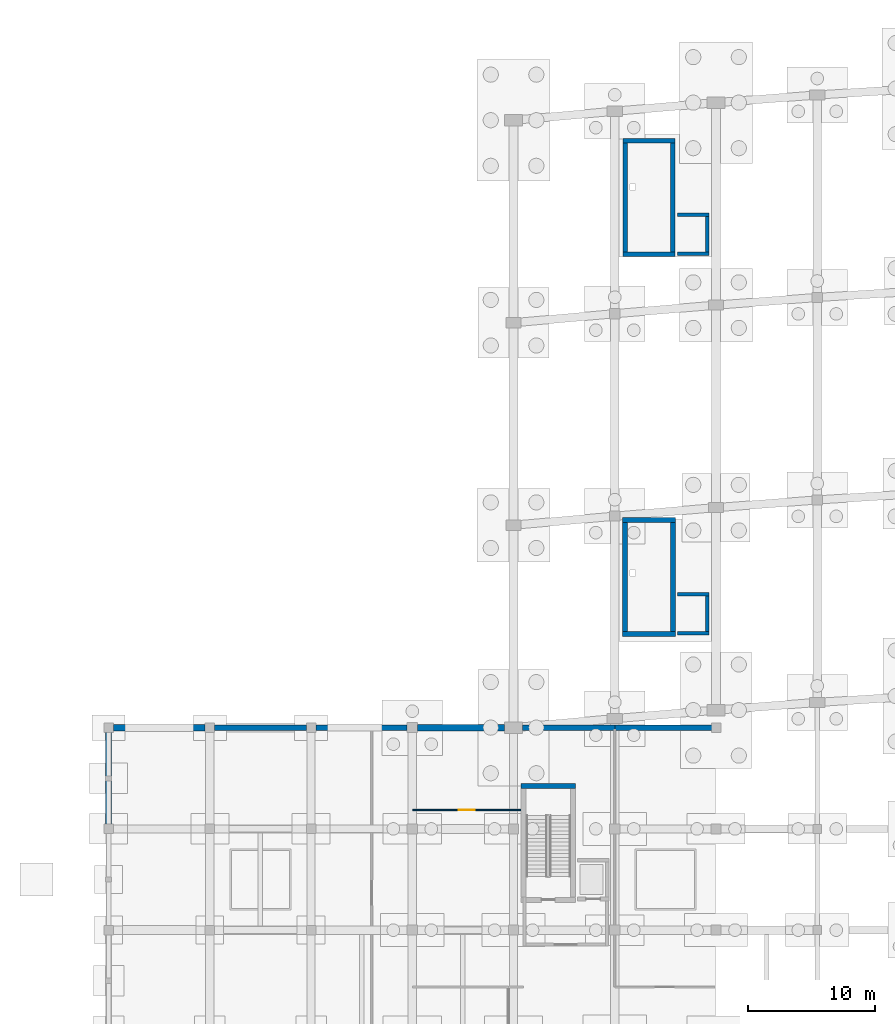
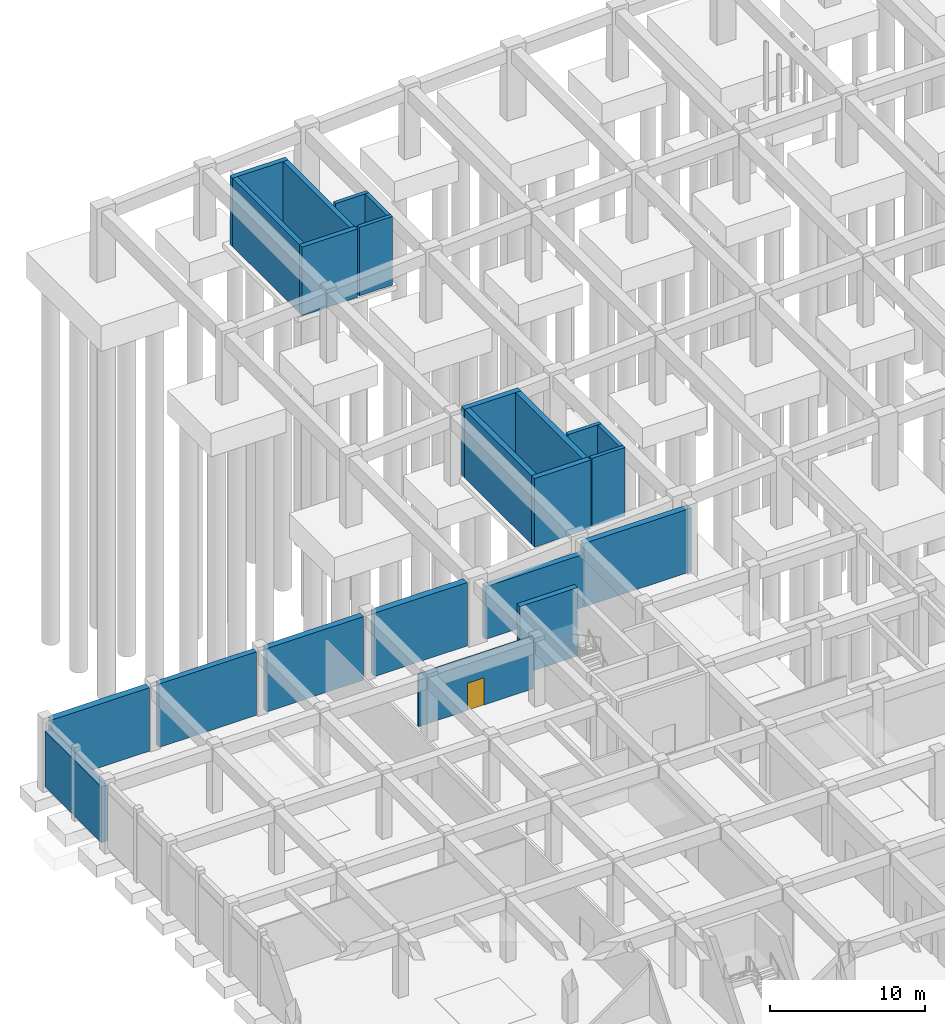
# One storey, part 28 of 45: 23 walls, 1 door, 1 opening.
"""IFC4 building model written with IfcOpenShell, lengths in metres."""

from ifc_helpers import new_model, si_unit, direction, frame, frame_2d, origin, place, context, subcontext, project, spatial, rectangle, extrude, material, layer, layer_set, type_object, element, fill, save


model = new_model("IFC4")

# Units and contexts
model_context = context("Model", 3, precision=1e-05, world=origin(), true_north=direction((0.0, 1.0)))
body_context = subcontext(model_context, "Body", "Model", "MODEL_VIEW")
ifc_project = project(units=[si_unit("LENGTHUNIT", "METRE"), si_unit("AREAUNIT", "SQUARE_METRE"), si_unit("VOLUMEUNIT", "CUBIC_METRE"), si_unit("PLANEANGLEUNIT", "RADIAN"), si_unit("MASSUNIT", "GRAM", prefix="KILO")], contexts=[model_context])

# Site, building, storey
site_placement = place(None, origin())
site = spatial("IfcSite", under=ifc_project, at=site_placement, CompositionType="ELEMENT")
building_placement = place(site_placement, origin())
building = spatial("IfcBuilding", under=site, at=building_placement, Name="Kenh Van Central Station", CompositionType="ELEMENT")
storey_placement = place(building_placement, frame((0.0, 0.0, -5.39990234375)))
storey = spatial("IfcBuildingStorey", under=building, at=storey_placement, Name="B1", CompositionType="ELEMENT", Elevation=-5.39990234375)

# Walls
ifc_material_1 = material(Name="Concrete C40/50", Category="concrete")
ifc_layer_1 = layer(ifc_material_1, 0.280029296875, Name="Concrete C40/50")
ifc_layer_set_1 = layer_set([ifc_layer_1], Name="Concrete C40/50")
wall_type_1 = type_object("IfcWallType", Name="WL-CORE-280", PredefinedType="SHEAR", material=ifc_layer_set_1)
for number, where, z_axis, x_axis, name in (
    (1, (44.949951171875, 71.4599609375, 0.0), (0.0, 0.0, 1.0), (1.0, 0.0, 0.0), "B1 LIFT-PL1 pit foundation wall S"),
    (2, (44.949951171875, 74.5400390625, 0.0), (0.0, 0.0, 1.0), (1.0, 0.0, 0.0), "B1 LIFT-PL1 pit foundation wall N"),
):
    element("IfcWall", number, at=place(storey_placement, frame(where, z_axis=z_axis, x_axis=x_axis)), inside=storey, type_object=wall_type_1, Name=name, PredefinedType="SHEAR", context=body_context, shape_type="SweptSolid", body=[
        extrude(rectangle(XDim=2.47998046875, YDim=0.280029296875, at=frame_2d((1.239990234375, 0.0))), origin(), (0.0, 0.0, 1.0), 5.39990234375),
    ])
wall_1_placement = place(storey_placement, frame((47.2900390625, 71.60009765625, 0.0), z_axis=(0.0, 0.0, 1.0), x_axis=(0.0, 1.0, 0.0)))
element("IfcWall", 3, at=wall_1_placement, inside=storey, type_object=wall_type_1, Name="B1 LIFT-PL1 pit foundation wall E", PredefinedType="SHEAR", context=body_context, shape_type="SweptSolid", body=[
    extrude(rectangle(XDim=2.7998046875, YDim=0.280029296875, at=frame_2d((1.39990234375, 0.0))), origin(), (0.0, 0.0, 1.0), 5.39990234375),
])
for number, where, z_axis, x_axis, name in (
    (4, (44.949951171875, 101.4599609375, 0.0), (0.0, 0.0, 1.0), (1.0, 0.0, 0.0), "B1 LIFT-PL2 pit foundation wall S"),
    (5, (44.949951171875, 104.5400390625, 0.0), (0.0, 0.0, 1.0), (1.0, 0.0, 0.0), "B1 LIFT-PL2 pit foundation wall N"),
):
    element("IfcWall", number, at=place(storey_placement, frame(where, z_axis=z_axis, x_axis=x_axis)), inside=storey, type_object=wall_type_1, Name=name, PredefinedType="SHEAR", context=body_context, shape_type="SweptSolid", body=[
        extrude(rectangle(XDim=2.47998046875, YDim=0.280029296875, at=frame_2d((1.239990234375, 0.0))), origin(), (0.0, 0.0, 1.0), 5.39990234375),
    ])
wall_2_placement = place(storey_placement, frame((47.2900390625, 101.60009765625, 0.0), z_axis=(0.0, 0.0, 1.0), x_axis=(0.0, 1.0, 0.0)))
element("IfcWall", 6, at=wall_2_placement, inside=storey, type_object=wall_type_1, Name="B1 LIFT-PL2 pit foundation wall E", PredefinedType="SHEAR", context=body_context, shape_type="SweptSolid", body=[
    extrude(rectangle(XDim=2.7998046875, YDim=0.280029296875, at=frame_2d((1.39990234375, 0.0))), origin(), (0.0, 0.0, 1.0), 5.39990234375),
])
ifc_layer_2 = layer(ifc_material_1, 0.360107421875, Name="Concrete C40/50")
ifc_layer_set_2 = layer_set([ifc_layer_2], Name="Concrete C40/50")
wall_type_2 = type_object("IfcWallType", Name="WL-CORE-360", PredefinedType="SHEAR", material=ifc_layer_set_2)
for number, where, z_axis, x_axis, name in (
    (7, (40.639892578125, 101.419921875, 0.0), (0.0, 0.0, 1.0), (1.0, 0.0, 0.0), "B1 CORE-07 foundation shear wall S"),
    (8, (40.639892578125, 110.3798828125, 0.0), (0.0, 0.0, 1.0), (1.0, 0.0, 0.0), "B1 CORE-07 foundation shear wall N"),
):
    element("IfcWall", number, at=place(storey_placement, frame(where, z_axis=z_axis, x_axis=x_axis)), inside=storey, type_object=wall_type_2, Name=name, PredefinedType="SHEAR", context=body_context, shape_type="SweptSolid", body=[
        extrude(rectangle(XDim=4.1201171875, YDim=0.360107421875, at=frame_2d((2.06005859375, 0.0))), origin(), (0.0, 0.0, 1.0), 5.39990234375),
    ])
for number, where, z_axis, x_axis, name in (
    (9, (40.820068359375, 101.60009765625, 0.0), (0.0, 0.0, 1.0), (0.0, 1.0, 0.0), "B1 CORE-07 foundation shear wall W"),
    (10, (44.580078125, 101.60009765625, 0.0), (0.0, 0.0, 1.0), (0.0, 1.0, 0.0), "B1 CORE-07 foundation shear wall E"),
):
    element("IfcWall", number, at=place(storey_placement, frame(where, z_axis=z_axis, x_axis=x_axis)), inside=storey, type_object=wall_type_2, Name=name, PredefinedType="SHEAR", context=body_context, shape_type="SweptSolid", body=[
        extrude(rectangle(XDim=8.599853515625, YDim=0.360107421875, at=frame_2d((4.2998046875, 0.0))), origin(), (0.0, 0.0, 1.0), 5.39990234375),
    ])
ifc_layer_3 = layer(ifc_material_1, 0.39990234375, Name="Concrete C40/50")
ifc_layer_set_3 = layer_set([ifc_layer_3], Name="Concrete C40/50")
wall_type_3 = type_object("IfcWallType", Name="WL-CORE-400", PredefinedType="SHEAR", material=ifc_layer_set_3)
wall_3_placement = place(storey_placement, frame((32.60009765625, 59.39990234375, 0.0), z_axis=(0.0, 0.0, 1.0), x_axis=(1.0, 0.0, 0.0)))
element("IfcWall", 11, at=wall_3_placement, inside=storey, type_object=wall_type_3, Name="B1 CORE-02 stair wall N", PredefinedType="SHEAR", context=body_context, shape_type="SweptSolid", body=[
    extrude(rectangle(XDim=4.2998046875, YDim=0.39990234375, at=frame_2d((2.14990234375, 0.0))), origin(), (0.0, 0.0, 1.0), 5.39990234375),
])
for number, where, z_axis, x_axis, name in (
    (12, (40.60009765625, 71.39990234375, 0.0), (0.0, 0.0, 1.0), (1.0, 0.0, 0.0), "B1 CORE-05 foundation shear wall S"),
    (13, (40.60009765625, 80.39990234375, 0.0), (0.0, 0.0, 1.0), (1.0, 0.0, 0.0), "B1 CORE-05 foundation shear wall N"),
):
    element("IfcWall", number, at=place(storey_placement, frame(where, z_axis=z_axis, x_axis=x_axis)), inside=storey, type_object=wall_type_3, Name=name, PredefinedType="SHEAR", context=body_context, shape_type="SweptSolid", body=[
        extrude(rectangle(XDim=4.199951171875, YDim=0.39990234375, at=frame_2d((2.10009765625, 0.0))), origin(), (0.0, 0.0, 1.0), 5.39990234375),
    ])
for number, where, z_axis, x_axis, name in (
    (14, (40.800048828125, 71.60009765625, 0.0), (0.0, 0.0, 1.0), (0.0, 1.0, 0.0), "B1 CORE-05 foundation shear wall W"),
    (15, (44.60009765625, 71.60009765625, 0.0), (0.0, 0.0, 1.0), (0.0, 1.0, 0.0), "B1 CORE-05 foundation shear wall E"),
):
    element("IfcWall", number, at=place(storey_placement, frame(where, z_axis=z_axis, x_axis=x_axis)), inside=storey, type_object=wall_type_3, Name=name, PredefinedType="SHEAR", context=body_context, shape_type="SweptSolid", body=[
        extrude(rectangle(XDim=8.599853515625, YDim=0.39990234375, at=frame_2d((4.2998046875, 0.0))), origin(), (0.0, 0.0, 1.0), 5.39990234375),
    ])

# Wall, opening, door
ifc_material_2 = material(Name="Lightweight acoustic masonry blockwork", Category="masonry")
ifc_layer_4 = layer(ifc_material_2, 0.10009765625, Name="Lightweight acoustic masonry blockwork")
ifc_layer_set_4 = layer_set([ifc_layer_4], Name="Lightweight acoustic masonry blockwork")
wall_type_4 = type_object("IfcWallType", Name="WL-PART-100", PredefinedType="PARTITIONING", material=ifc_layer_set_4)
wall_4_placement = place(storey_placement, frame((24.02001953125, 57.5, 0.0), z_axis=(0.0, 0.0, 1.0), x_axis=(1.0, 0.0, 0.0)))
wall_4 = element("IfcWall", 16, at=wall_4_placement, inside=storey, type_object=wall_type_4, Name="B1 interior wall 0020", PredefinedType="PARTITIONING", context=body_context, shape_type="SweptSolid", body=[
    extrude(rectangle(XDim=8.56005859375, YDim=0.10009765625, at=frame_2d((4.280029296875, 0.0))), origin(), (0.0, 0.0, 1.0), 4.14990234375),
])
opening_placement = place(wall_4_placement, frame((3.655029296875, 0.0, 0.0)))
opening = element("IfcOpeningElement", 17, at=opening_placement, cuts=wall_4, Name="Opening D-IN04", PredefinedType="OPENING", context=body_context, shape_type="SweptSolid", body=[
    extrude(rectangle(XDim=1.25, YDim=2.14990234375, at=frame_2d((0.625, 1.074951171875))), frame((0.0, 0.06005859375, 0.0), z_axis=(0.0, -1.0, 0.0), x_axis=(1.0, 0.0, 0.0)), (0.0, 0.0, 1.0), 0.1201171875),
])
ifc_material_3 = material(Name="Architectural hardwood timber", Category="wood")
door_type = type_object("IfcDoorType", Name="DR-INT-1250x2150", OperationType="NOTDEFINED", PredefinedType="DOOR", material=ifc_material_3)
door_placement = place(opening_placement, origin())
door = element("IfcDoor", 18, at=door_placement, inside=storey, type_object=door_type, Name="B1 interior door 0010", OperationType="SINGLE_SWING_LEFT", OverallHeight=2.14990234375, OverallWidth=1.25, PredefinedType="DOOR", context=body_context, shape_type="SweptSolid", body=[
    extrude(rectangle(XDim=1.25, YDim=2.14990234375, at=frame_2d((0.625, 1.074951171875))), frame((0.0, 0.02490234375, 0.0), z_axis=(0.0, -1.0, 0.0), x_axis=(1.0, 0.0, 0.0)), (0.0, 0.0, 1.0), 0.050048828125),
])
fill(opening, door)

# Walls
ifc_layer_5 = layer(ifc_material_1, 0.419921875, Name="Concrete C40/50")
ifc_layer_set_5 = layer_set([ifc_layer_5], Name="Concrete C40/50")
wall_type_5 = type_object("IfcWallType", Name="WL-RET-420", PredefinedType="USERDEFINED", material=ifc_layer_set_5)
wall_5_placement = place(storey_placement, frame((8.375, 64.0, 0.0), z_axis=(0.0, 0.0, 1.0), x_axis=(1.0, 0.0, 0.0)))
element("IfcWall", 19, at=wall_5_placement, inside=storey, type_object=wall_type_5, Name="B1 retaining wall 015", ObjectType="RETAININGWALL", PredefinedType="USERDEFINED", context=body_context, shape_type="SweptSolid", body=[
    extrude(rectangle(XDim=7.25, YDim=0.419921875, at=frame_2d((3.625, 0.0))), origin(), (0.0, 0.0, 1.0), 5.0),
])
wall_6_placement = place(storey_placement, frame((32.699951171875, 64.0, 0.0), z_axis=(0.0, 0.0, 1.0), x_axis=(1.0, 0.0, 0.0)))
element("IfcWall", 20, at=wall_6_placement, inside=storey, type_object=wall_type_5, Name="B1 retaining wall 018", ObjectType="RETAININGWALL", PredefinedType="USERDEFINED", context=body_context, shape_type="SweptSolid", body=[
    extrude(rectangle(XDim=7.300048828125, YDim=0.419921875, at=frame_2d((3.64990234375, 0.0))), origin(), (0.0, 0.0, 1.0), 4.14990234375),
])
ifc_layer_6 = layer(ifc_material_1, 0.449951171875, Name="Concrete C40/50")
ifc_layer_set_6 = layer_set([ifc_layer_6], Name="Concrete C40/50")
wall_type_6 = type_object("IfcWallType", Name="WL-RET-450", PredefinedType="USERDEFINED", material=ifc_layer_set_6)
wall_7_placement = place(storey_placement, frame((0.0, 56.375, 0.0), z_axis=(0.0, 0.0, 1.0), x_axis=(0.0, 1.0, 0.0)))
element("IfcWall", 21, at=wall_7_placement, inside=storey, type_object=wall_type_6, Name="B1 retaining wall 013", ObjectType="RETAININGWALL", PredefinedType="USERDEFINED", context=body_context, shape_type="SweptSolid", body=[
    extrude(rectangle(XDim=7.25, YDim=0.449951171875, at=frame_2d((3.625, 0.0))), origin(), (0.0, 0.0, 1.0), 4.39990234375),
])
wall_8_placement = place(storey_placement, frame((16.375, 64.0, 0.0), z_axis=(0.0, 0.0, 1.0), x_axis=(1.0, 0.0, 0.0)))
element("IfcWall", 22, at=wall_8_placement, inside=storey, type_object=wall_type_6, Name="B1 retaining wall 016", ObjectType="RETAININGWALL", PredefinedType="USERDEFINED", context=body_context, shape_type="SweptSolid", body=[
    extrude(rectangle(XDim=7.22509765625, YDim=0.449951171875, at=frame_2d((3.612548828125, 0.0))), origin(), (0.0, 0.0, 1.0), 5.0),
])
wall_9_placement = place(storey_placement, frame((40.0, 64.0, 0.0), z_axis=(0.0, 0.0, 1.0), x_axis=(1.0, 0.0, 0.0)))
element("IfcWall", 23, at=wall_9_placement, inside=storey, type_object=wall_type_6, Name="B1 retaining wall 019", ObjectType="RETAININGWALL", PredefinedType="USERDEFINED", context=body_context, shape_type="SweptSolid", body=[
    extrude(rectangle(XDim=8.0, YDim=0.449951171875, at=frame_2d((4.0, 0.0))), origin(), (0.0, 0.0, 1.0), 5.0),
])
ifc_layer_7 = layer(ifc_material_1, 0.5, Name="Concrete C40/50")
ifc_layer_set_7 = layer_set([ifc_layer_7], Name="Concrete C40/50")
wall_type_7 = type_object("IfcWallType", Name="WL-RET-500", PredefinedType="USERDEFINED", material=ifc_layer_set_7)
wall_10_placement = place(storey_placement, frame((0.375, 64.0, 0.0), z_axis=(0.0, 0.0, 1.0), x_axis=(1.0, 0.0, 0.0)))
element("IfcWall", 24, at=wall_10_placement, inside=storey, type_object=wall_type_7, Name="B1 retaining wall 014", ObjectType="RETAININGWALL", PredefinedType="USERDEFINED", context=body_context, shape_type="SweptSolid", body=[
    extrude(rectangle(XDim=7.25, YDim=0.5, at=frame_2d((3.625, 0.0))), origin(), (0.0, 0.0, 1.0), 5.0),
])
wall_11_placement = place(storey_placement, frame((24.39990234375, 64.0, 0.0), z_axis=(0.0, 0.0, 1.0), x_axis=(1.0, 0.0, 0.0)))
element("IfcWall", 25, at=wall_11_placement, inside=storey, type_object=wall_type_7, Name="B1 retaining wall 017", ObjectType="RETAININGWALL", PredefinedType="USERDEFINED", context=body_context, shape_type="SweptSolid", body=[
    extrude(rectangle(XDim=6.900146484375, YDim=0.5, at=frame_2d((3.4501953125, 0.0))), origin(), (0.0, 0.0, 1.0), 5.0),
])

save(model, "model.ifc")
